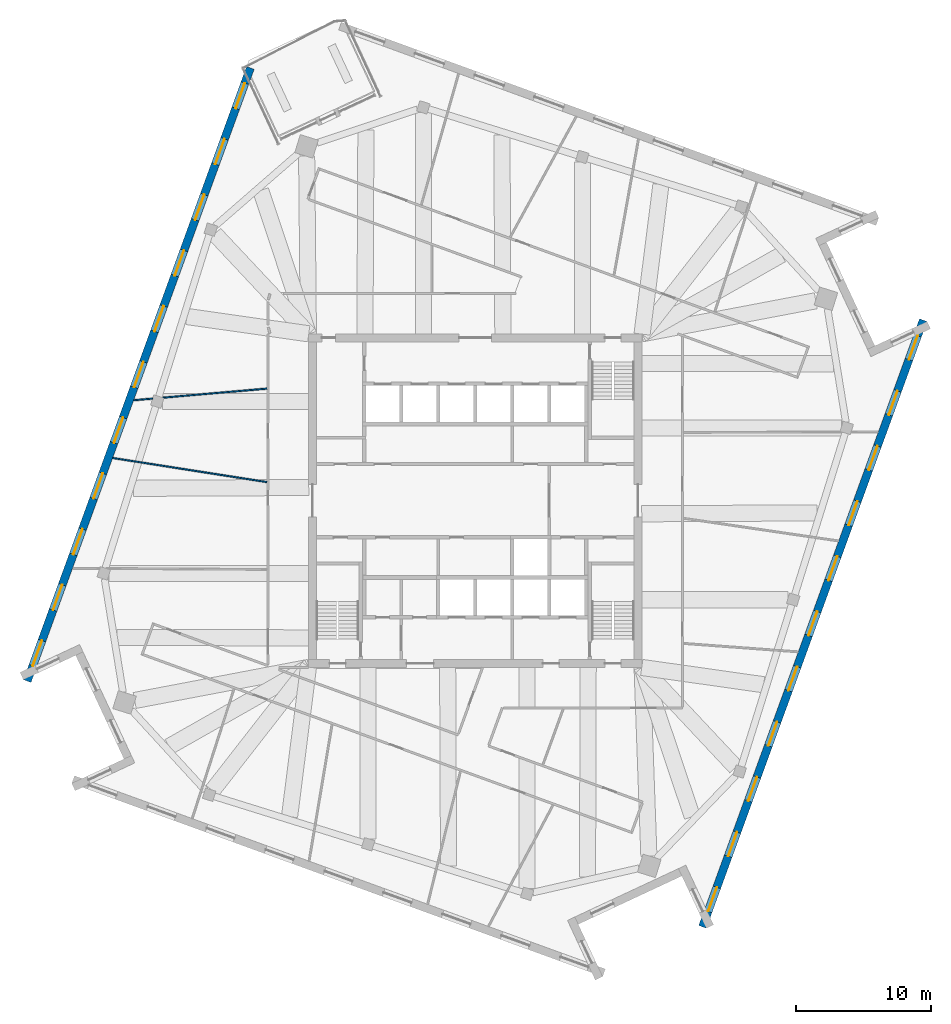
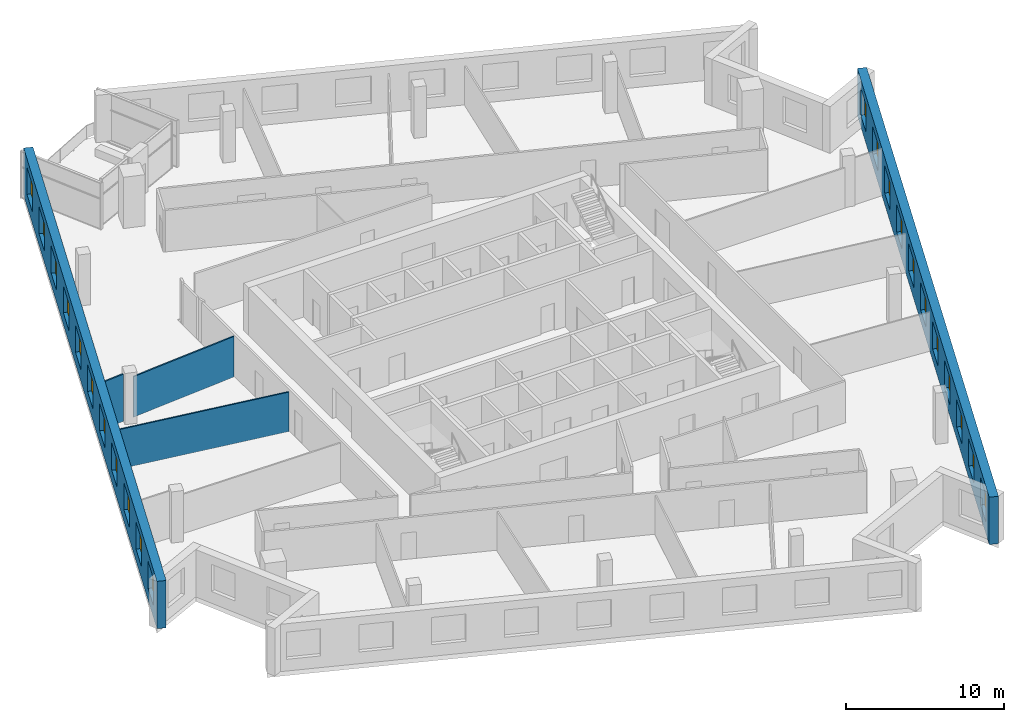
# One storey, part 8 of 13: 22 windows, 5 walls, 22 openings.
"""IFC4 building model written with IfcOpenShell, lengths in metres."""

from ifc_helpers import new_model, si_unit, direction, frame, frame_2d, origin, place, context, subcontext, project, spatial, rectangle, extrude, material, layer, layer_set, type_object, element, fill, save


model = new_model("IFC4")

# Units and contexts
model_context = context("Model", 3, precision=1e-05, world=origin(), true_north=direction((0.0, 1.0)))
body_context = subcontext(model_context, "Body", "Model", "MODEL_VIEW")
ifc_project = project(units=[si_unit("LENGTHUNIT", "METRE"), si_unit("AREAUNIT", "SQUARE_METRE"), si_unit("VOLUMEUNIT", "CUBIC_METRE"), si_unit("PLANEANGLEUNIT", "RADIAN"), si_unit("MASSUNIT", "GRAM", prefix="KILO")], contexts=[model_context])

# Site, building, storey
site_placement = place(None, origin())
site = spatial("IfcSite", under=ifc_project, at=site_placement, CompositionType="ELEMENT")
building_placement = place(site_placement, origin())
building = spatial("IfcBuilding", under=site, at=building_placement, Name="Dilmun Exchange Tower", CompositionType="ELEMENT")
storey_placement = place(building_placement, frame((0.0, 0.0, 308.5)))
storey = spatial("IfcBuildingStorey", under=building, at=storey_placement, Name="L73", CompositionType="ELEMENT", Elevation=308.5)

# Walls
ifc_material_1 = material(Name="Partition 100")
ifc_layer_1 = layer(ifc_material_1, 0.10009765625)
ifc_layer_set_1 = layer_set([ifc_layer_1], Name="Partition 100")
wall_type_1 = type_object("IfcWallType", Name="Partition 100", PredefinedType="PARTITIONING", material=ifc_layer_set_1)
wall_1_placement = place(storey_placement, frame((-26.939453125, 3.167236328125, 0.0), z_axis=(0.0, 0.0, 1.0), x_axis=(0.987997076622, -0.154472575515, 0.0)))
element("IfcWall", 1, at=wall_1_placement, inside=storey, type_object=wall_type_1, Name="Partition", PredefinedType="PARTITIONING", context=body_context, shape_type="SweptSolid", body=[
    extrude(rectangle(XDim=11.595947265625, YDim=0.10009765625, at=frame_2d((5.7978515625, 0.0))), origin(), (0.0, 0.0, 1.0), 3.050048828125),
])
wall_2_placement = place(storey_placement, frame((-25.376953125, 7.459716796875, 0.0), z_axis=(0.0, 0.0, 1.0), x_axis=(0.996220312329, 0.086862473502, 0.0)))
element("IfcWall", 2, at=wall_2_placement, inside=storey, type_object=wall_type_1, Name="Partition", PredefinedType="PARTITIONING", context=body_context, shape_type="SweptSolid", body=[
    extrude(rectangle(XDim=1.402587890625, YDim=0.10009765625, at=frame_2d((0.701171875, 0.0))), origin(), (0.0, 0.0, 1.0), 3.64990234375),
])
wall_3_placement = place(storey_placement, frame((-23.203369140625, 7.6494140625, 0.0), z_axis=(0.0, 0.0, 1.0), x_axis=(0.996219171953, 0.086875551407, 0.0)))
element("IfcWall", 3, at=wall_3_placement, inside=storey, type_object=wall_type_1, Name="Partition", PredefinedType="PARTITIONING", context=body_context, shape_type="SweptSolid", body=[
    extrude(rectangle(XDim=7.75341796875, YDim=0.10009765625, at=frame_2d((3.876708984375, 0.0))), origin(), (0.0, 0.0, 1.0), 3.1298828125),
])

# Wall, openings, windows
ifc_material_2 = material(Name="Precast concrete C50/60", Category="concrete")
ifc_layer_2 = layer(ifc_material_2, 0.60009765625)
ifc_layer_set_2 = layer_set([ifc_layer_2], Name="Precast concrete C50/60")
wall_type_2 = type_object("IfcWallType", Name="Precast stone-clad wall 600", PredefinedType="STANDARD", material=ifc_layer_set_2)
wall_4_placement = place(storey_placement, frame((-16.710205078125, 32.154296875, 0.0), z_axis=(0.0, 0.0, 1.0), x_axis=(-0.342021989849, -0.939691948704, 0.0)))
wall_4 = element("IfcWall", 4, at=wall_4_placement, inside=storey, type_object=wall_type_2, Name="Facade wall L73-03", PredefinedType="STANDARD", context=body_context, shape_type="SweptSolid", body=[
    extrude(rectangle(XDim=48.489501953125, YDim=0.60009765625, at=frame_2d((24.24462890625, 0.0))), origin(), (0.0, 0.0, 1.0), 3.64990234375),
])
opening_1_placement = place(wall_4_placement, frame((1.2041015625, 0.0, 0.89990234375)))
opening_1 = element("IfcOpeningElement", 5, at=opening_1_placement, cuts=wall_4, Name="Opening W200-210", PredefinedType="OPENING", context=body_context, shape_type="SweptSolid", body=[
    extrude(rectangle(XDim=2.0, YDim=2.10009765625, at=frame_2d((1.0, 1.050048828125))), frame((0.0, 0.31005859375, 0.0), z_axis=(0.0, -1.0, 0.0), x_axis=(1.0, 0.0, 0.0)), (0.0, 0.0, 1.0), 0.6201171875),
])
opening_2_placement = place(wall_4_placement, frame((5.6123046875, 0.0, 0.89990234375)))
opening_2 = element("IfcOpeningElement", 6, at=opening_2_placement, cuts=wall_4, Name="Opening W200-210", PredefinedType="OPENING", context=body_context, shape_type="SweptSolid", body=[
    extrude(rectangle(XDim=2.0, YDim=2.10009765625, at=frame_2d((1.0, 1.050048828125))), frame((0.0, 0.31005859375, 0.0), z_axis=(0.0, -1.0, 0.0), x_axis=(1.0, 0.0, 0.0)), (0.0, 0.0, 1.0), 0.6201171875),
])
opening_3_placement = place(wall_4_placement, frame((10.0205078125, 0.0, 0.89990234375)))
opening_3 = element("IfcOpeningElement", 7, at=opening_3_placement, cuts=wall_4, Name="Opening W200-210", PredefinedType="OPENING", context=body_context, shape_type="SweptSolid", body=[
    extrude(rectangle(XDim=2.0, YDim=2.10009765625, at=frame_2d((1.0, 1.050048828125))), frame((0.0, 0.31005859375, 0.0), z_axis=(0.0, -1.0, 0.0), x_axis=(1.0, 0.0, 0.0)), (0.0, 0.0, 1.0), 0.6201171875),
])
opening_4_placement = place(wall_4_placement, frame((14.428466796875, 0.0, 0.89990234375)))
opening_4 = element("IfcOpeningElement", 8, at=opening_4_placement, cuts=wall_4, Name="Opening W200-210", PredefinedType="OPENING", context=body_context, shape_type="SweptSolid", body=[
    extrude(rectangle(XDim=2.0, YDim=2.10009765625, at=frame_2d((1.0, 1.050048828125))), frame((0.0, 0.31005859375, 0.0), z_axis=(0.0, -1.0, 0.0), x_axis=(1.0, 0.0, 0.0)), (0.0, 0.0, 1.0), 0.6201171875),
])
opening_5_placement = place(wall_4_placement, frame((18.836669921875, 0.0, 0.89990234375)))
opening_5 = element("IfcOpeningElement", 9, at=opening_5_placement, cuts=wall_4, Name="Opening W200-210", PredefinedType="OPENING", context=body_context, shape_type="SweptSolid", body=[
    extrude(rectangle(XDim=2.0, YDim=2.10009765625, at=frame_2d((1.0, 1.050048828125))), frame((0.0, 0.31005859375, 0.0), z_axis=(0.0, -1.0, 0.0), x_axis=(1.0, 0.0, 0.0)), (0.0, 0.0, 1.0), 0.6201171875),
])
opening_6_placement = place(wall_4_placement, frame((23.244873046875, 0.0, 0.89990234375)))
opening_6 = element("IfcOpeningElement", 10, at=opening_6_placement, cuts=wall_4, Name="Opening W200-210", PredefinedType="OPENING", context=body_context, shape_type="SweptSolid", body=[
    extrude(rectangle(XDim=2.0, YDim=2.10009765625, at=frame_2d((1.0, 1.050048828125))), frame((0.0, 0.31005859375, 0.0), z_axis=(0.0, -1.0, 0.0), x_axis=(1.0, 0.0, 0.0)), (0.0, 0.0, 1.0), 0.6201171875),
])
opening_7_placement = place(wall_4_placement, frame((27.65283203125, 0.0, 0.89990234375)))
opening_7 = element("IfcOpeningElement", 11, at=opening_7_placement, cuts=wall_4, Name="Opening W200-210", PredefinedType="OPENING", context=body_context, shape_type="SweptSolid", body=[
    extrude(rectangle(XDim=2.0, YDim=2.10009765625, at=frame_2d((1.0, 1.050048828125))), frame((0.0, 0.31005859375, 0.0), z_axis=(0.0, -1.0, 0.0), x_axis=(1.0, 0.0, 0.0)), (0.0, 0.0, 1.0), 0.6201171875),
])
opening_8_placement = place(wall_4_placement, frame((32.06103515625, 0.0, 0.89990234375)))
opening_8 = element("IfcOpeningElement", 12, at=opening_8_placement, cuts=wall_4, Name="Opening W200-210", PredefinedType="OPENING", context=body_context, shape_type="SweptSolid", body=[
    extrude(rectangle(XDim=2.0, YDim=2.10009765625, at=frame_2d((1.0, 1.050048828125))), frame((0.0, 0.31005859375, 0.0), z_axis=(0.0, -1.0, 0.0), x_axis=(1.0, 0.0, 0.0)), (0.0, 0.0, 1.0), 0.6201171875),
])
opening_9_placement = place(wall_4_placement, frame((36.46923828125, 0.0, 0.89990234375)))
opening_9 = element("IfcOpeningElement", 13, at=opening_9_placement, cuts=wall_4, Name="Opening W200-210", PredefinedType="OPENING", context=body_context, shape_type="SweptSolid", body=[
    extrude(rectangle(XDim=2.0, YDim=2.10009765625, at=frame_2d((1.0, 1.050048828125))), frame((0.0, 0.31005859375, 0.0), z_axis=(0.0, -1.0, 0.0), x_axis=(1.0, 0.0, 0.0)), (0.0, 0.0, 1.0), 0.6201171875),
])
opening_10_placement = place(wall_4_placement, frame((40.87744140625, 0.0, 0.89990234375)))
opening_10 = element("IfcOpeningElement", 14, at=opening_10_placement, cuts=wall_4, Name="Opening W200-210", PredefinedType="OPENING", context=body_context, shape_type="SweptSolid", body=[
    extrude(rectangle(XDim=2.0, YDim=2.10009765625, at=frame_2d((1.0, 1.050048828125))), frame((0.0, 0.31005859375, 0.0), z_axis=(0.0, -1.0, 0.0), x_axis=(1.0, 0.0, 0.0)), (0.0, 0.0, 1.0), 0.6201171875),
])
opening_11_placement = place(wall_4_placement, frame((45.285400390625, 0.0, 0.89990234375)))
opening_11 = element("IfcOpeningElement", 15, at=opening_11_placement, cuts=wall_4, Name="Opening W200-210", PredefinedType="OPENING", context=body_context, shape_type="SweptSolid", body=[
    extrude(rectangle(XDim=2.0, YDim=2.10009765625, at=frame_2d((1.0, 1.050048828125))), frame((0.0, 0.31005859375, 0.0), z_axis=(0.0, -1.0, 0.0), x_axis=(1.0, 0.0, 0.0)), (0.0, 0.0, 1.0), 0.6201171875),
])
ifc_material_3 = material(Name="Clear low-emissivity glass in aluminium frame", Category="aluminium")
window_type_1 = type_object("IfcWindowType", Name="Punched window 2000 x 2100", PartitioningType="DOUBLE_PANEL_VERTICAL", PredefinedType="WINDOW", material=ifc_material_3)
window_1_placement = place(opening_1_placement, origin())
window_1 = element("IfcWindow", 16, at=window_1_placement, inside=storey, type_object=window_type_1, Name="Window 4.1", OverallHeight=2.10009765625, OverallWidth=2.0, PartitioningType="SINGLE_PANEL", PredefinedType="WINDOW", context=body_context, shape_type="SweptSolid", body=[
    extrude(rectangle(XDim=2.0, YDim=2.10009765625, at=frame_2d((1.0, 1.050048828125))), frame((0.0, 0.030029296875, 0.0), z_axis=(0.0, -1.0, 0.0), x_axis=(1.0, 0.0, 0.0)), (0.0, 0.0, 1.0), 0.06005859375),
])
fill(opening_1, window_1)
window_2_placement = place(opening_2_placement, origin())
window_2 = element("IfcWindow", 17, at=window_2_placement, inside=storey, type_object=window_type_1, Name="Window 4.2", OverallHeight=2.10009765625, OverallWidth=2.0, PartitioningType="SINGLE_PANEL", PredefinedType="WINDOW", context=body_context, shape_type="SweptSolid", body=[
    extrude(rectangle(XDim=2.0, YDim=2.10009765625, at=frame_2d((1.0, 1.050048828125))), frame((0.0, 0.030029296875, 0.0), z_axis=(0.0, -1.0, 0.0), x_axis=(1.0, 0.0, 0.0)), (0.0, 0.0, 1.0), 0.06005859375),
])
fill(opening_2, window_2)
window_3_placement = place(opening_3_placement, origin())
window_3 = element("IfcWindow", 18, at=window_3_placement, inside=storey, type_object=window_type_1, Name="Window 4.3", OverallHeight=2.10009765625, OverallWidth=2.0, PartitioningType="SINGLE_PANEL", PredefinedType="WINDOW", context=body_context, shape_type="SweptSolid", body=[
    extrude(rectangle(XDim=2.0, YDim=2.10009765625, at=frame_2d((1.0, 1.050048828125))), frame((0.0, 0.030029296875, 0.0), z_axis=(0.0, -1.0, 0.0), x_axis=(1.0, 0.0, 0.0)), (0.0, 0.0, 1.0), 0.06005859375),
])
fill(opening_3, window_3)
window_4_placement = place(opening_4_placement, origin())
window_4 = element("IfcWindow", 19, at=window_4_placement, inside=storey, type_object=window_type_1, Name="Window 4.4", OverallHeight=2.10009765625, OverallWidth=2.0, PartitioningType="SINGLE_PANEL", PredefinedType="WINDOW", context=body_context, shape_type="SweptSolid", body=[
    extrude(rectangle(XDim=2.0, YDim=2.10009765625, at=frame_2d((1.0, 1.050048828125))), frame((0.0, 0.030029296875, 0.0), z_axis=(0.0, -1.0, 0.0), x_axis=(1.0, 0.0, 0.0)), (0.0, 0.0, 1.0), 0.06005859375),
])
fill(opening_4, window_4)
window_5_placement = place(opening_5_placement, origin())
window_5 = element("IfcWindow", 20, at=window_5_placement, inside=storey, type_object=window_type_1, Name="Window 4.5", OverallHeight=2.10009765625, OverallWidth=2.0, PartitioningType="SINGLE_PANEL", PredefinedType="WINDOW", context=body_context, shape_type="SweptSolid", body=[
    extrude(rectangle(XDim=2.0, YDim=2.10009765625, at=frame_2d((1.0, 1.050048828125))), frame((0.0, 0.030029296875, 0.0), z_axis=(0.0, -1.0, 0.0), x_axis=(1.0, 0.0, 0.0)), (0.0, 0.0, 1.0), 0.06005859375),
])
fill(opening_5, window_5)
window_6_placement = place(opening_6_placement, origin())
window_6 = element("IfcWindow", 21, at=window_6_placement, inside=storey, type_object=window_type_1, Name="Window 4.6", OverallHeight=2.10009765625, OverallWidth=2.0, PartitioningType="SINGLE_PANEL", PredefinedType="WINDOW", context=body_context, shape_type="SweptSolid", body=[
    extrude(rectangle(XDim=2.0, YDim=2.10009765625, at=frame_2d((1.0, 1.050048828125))), frame((0.0, 0.030029296875, 0.0), z_axis=(0.0, -1.0, 0.0), x_axis=(1.0, 0.0, 0.0)), (0.0, 0.0, 1.0), 0.06005859375),
])
fill(opening_6, window_6)
window_7_placement = place(opening_7_placement, origin())
window_7 = element("IfcWindow", 22, at=window_7_placement, inside=storey, type_object=window_type_1, Name="Window 4.7", OverallHeight=2.10009765625, OverallWidth=2.0, PartitioningType="SINGLE_PANEL", PredefinedType="WINDOW", context=body_context, shape_type="SweptSolid", body=[
    extrude(rectangle(XDim=2.0, YDim=2.10009765625, at=frame_2d((1.0, 1.050048828125))), frame((0.0, 0.030029296875, 0.0), z_axis=(0.0, -1.0, 0.0), x_axis=(1.0, 0.0, 0.0)), (0.0, 0.0, 1.0), 0.06005859375),
])
fill(opening_7, window_7)
window_8_placement = place(opening_8_placement, origin())
window_8 = element("IfcWindow", 23, at=window_8_placement, inside=storey, type_object=window_type_1, Name="Window 4.8", OverallHeight=2.10009765625, OverallWidth=2.0, PartitioningType="SINGLE_PANEL", PredefinedType="WINDOW", context=body_context, shape_type="SweptSolid", body=[
    extrude(rectangle(XDim=2.0, YDim=2.10009765625, at=frame_2d((1.0, 1.050048828125))), frame((0.0, 0.030029296875, 0.0), z_axis=(0.0, -1.0, 0.0), x_axis=(1.0, 0.0, 0.0)), (0.0, 0.0, 1.0), 0.06005859375),
])
fill(opening_8, window_8)
window_9_placement = place(opening_9_placement, origin())
window_9 = element("IfcWindow", 24, at=window_9_placement, inside=storey, type_object=window_type_1, Name="Window 4.9", OverallHeight=2.10009765625, OverallWidth=2.0, PartitioningType="SINGLE_PANEL", PredefinedType="WINDOW", context=body_context, shape_type="SweptSolid", body=[
    extrude(rectangle(XDim=2.0, YDim=2.10009765625, at=frame_2d((1.0, 1.050048828125))), frame((0.0, 0.030029296875, 0.0), z_axis=(0.0, -1.0, 0.0), x_axis=(1.0, 0.0, 0.0)), (0.0, 0.0, 1.0), 0.06005859375),
])
fill(opening_9, window_9)
window_10_placement = place(opening_10_placement, origin())
window_10 = element("IfcWindow", 25, at=window_10_placement, inside=storey, type_object=window_type_1, Name="Window 4.10", OverallHeight=2.10009765625, OverallWidth=2.0, PartitioningType="SINGLE_PANEL", PredefinedType="WINDOW", context=body_context, shape_type="SweptSolid", body=[
    extrude(rectangle(XDim=2.0, YDim=2.10009765625, at=frame_2d((1.0, 1.050048828125))), frame((0.0, 0.030029296875, 0.0), z_axis=(0.0, -1.0, 0.0), x_axis=(1.0, 0.0, 0.0)), (0.0, 0.0, 1.0), 0.06005859375),
])
fill(opening_10, window_10)
window_11_placement = place(opening_11_placement, origin())
window_11 = element("IfcWindow", 26, at=window_11_placement, inside=storey, type_object=window_type_1, Name="Window 4.11", OverallHeight=2.10009765625, OverallWidth=2.0, PartitioningType="SINGLE_PANEL", PredefinedType="WINDOW", context=body_context, shape_type="SweptSolid", body=[
    extrude(rectangle(XDim=2.0, YDim=2.10009765625, at=frame_2d((1.0, 1.050048828125))), frame((0.0, 0.030029296875, 0.0), z_axis=(0.0, -1.0, 0.0), x_axis=(1.0, 0.0, 0.0)), (0.0, 0.0, 1.0), 0.06005859375),
])
fill(opening_11, window_11)

wall_5_placement = place(storey_placement, frame((16.885009765625, -31.6748046875, 0.0), z_axis=(0.0, 0.0, 1.0), x_axis=(0.342016786282, 0.939693842643, 0.0)))
wall_5 = element("IfcWall", 27, at=wall_5_placement, inside=storey, type_object=wall_type_2, Name="Facade wall L73-11", PredefinedType="STANDARD", context=body_context, shape_type="SweptSolid", body=[
    extrude(rectangle(XDim=47.979248046875, YDim=0.60009765625, at=frame_2d((23.98974609375, 0.0))), origin(), (0.0, 0.0, 1.0), 3.64990234375),
])
opening_12_placement = place(wall_5_placement, frame((1.23095703125, 0.0, 0.89990234375)))
opening_12 = element("IfcOpeningElement", 28, at=opening_12_placement, cuts=wall_5, Name="Opening W190-210", PredefinedType="OPENING", context=body_context, shape_type="SweptSolid", body=[
    extrude(rectangle(XDim=1.89990234375, YDim=2.10009765625, at=frame_2d((0.949951171875, 1.050048828125))), frame((0.0, 0.31005859375, 0.0), z_axis=(0.0, -1.0, 0.0), x_axis=(1.0, 0.0, 0.0)), (0.0, 0.0, 1.0), 0.6201171875),
])
opening_13_placement = place(wall_5_placement, frame((5.592529296875, 0.0, 0.89990234375)))
opening_13 = element("IfcOpeningElement", 29, at=opening_13_placement, cuts=wall_5, Name="Opening W190-210", PredefinedType="OPENING", context=body_context, shape_type="SweptSolid", body=[
    extrude(rectangle(XDim=1.89990234375, YDim=2.10009765625, at=frame_2d((0.949951171875, 1.050048828125))), frame((0.0, 0.31005859375, 0.0), z_axis=(0.0, -1.0, 0.0), x_axis=(1.0, 0.0, 0.0)), (0.0, 0.0, 1.0), 0.6201171875),
])
opening_14_placement = place(wall_5_placement, frame((9.954345703125, 0.0, 0.89990234375)))
opening_14 = element("IfcOpeningElement", 30, at=opening_14_placement, cuts=wall_5, Name="Opening W190-210", PredefinedType="OPENING", context=body_context, shape_type="SweptSolid", body=[
    extrude(rectangle(XDim=1.89990234375, YDim=2.10009765625, at=frame_2d((0.949951171875, 1.050048828125))), frame((0.0, 0.31005859375, 0.0), z_axis=(0.0, -1.0, 0.0), x_axis=(1.0, 0.0, 0.0)), (0.0, 0.0, 1.0), 0.6201171875),
])
opening_15_placement = place(wall_5_placement, frame((14.316162109375, 0.0, 0.89990234375)))
opening_15 = element("IfcOpeningElement", 31, at=opening_15_placement, cuts=wall_5, Name="Opening W190-210", PredefinedType="OPENING", context=body_context, shape_type="SweptSolid", body=[
    extrude(rectangle(XDim=1.89990234375, YDim=2.10009765625, at=frame_2d((0.949951171875, 1.050048828125))), frame((0.0, 0.31005859375, 0.0), z_axis=(0.0, -1.0, 0.0), x_axis=(1.0, 0.0, 0.0)), (0.0, 0.0, 1.0), 0.6201171875),
])
opening_16_placement = place(wall_5_placement, frame((18.677734375, 0.0, 0.89990234375)))
opening_16 = element("IfcOpeningElement", 32, at=opening_16_placement, cuts=wall_5, Name="Opening W190-210", PredefinedType="OPENING", context=body_context, shape_type="SweptSolid", body=[
    extrude(rectangle(XDim=1.89990234375, YDim=2.10009765625, at=frame_2d((0.949951171875, 1.050048828125))), frame((0.0, 0.31005859375, 0.0), z_axis=(0.0, -1.0, 0.0), x_axis=(1.0, 0.0, 0.0)), (0.0, 0.0, 1.0), 0.6201171875),
])
opening_17_placement = place(wall_5_placement, frame((23.03955078125, 0.0, 0.89990234375)))
opening_17 = element("IfcOpeningElement", 33, at=opening_17_placement, cuts=wall_5, Name="Opening W190-210", PredefinedType="OPENING", context=body_context, shape_type="SweptSolid", body=[
    extrude(rectangle(XDim=1.89990234375, YDim=2.10009765625, at=frame_2d((0.949951171875, 1.050048828125))), frame((0.0, 0.31005859375, 0.0), z_axis=(0.0, -1.0, 0.0), x_axis=(1.0, 0.0, 0.0)), (0.0, 0.0, 1.0), 0.6201171875),
])
opening_18_placement = place(wall_5_placement, frame((27.4013671875, 0.0, 0.89990234375)))
opening_18 = element("IfcOpeningElement", 34, at=opening_18_placement, cuts=wall_5, Name="Opening W190-210", PredefinedType="OPENING", context=body_context, shape_type="SweptSolid", body=[
    extrude(rectangle(XDim=1.89990234375, YDim=2.10009765625, at=frame_2d((0.949951171875, 1.050048828125))), frame((0.0, 0.31005859375, 0.0), z_axis=(0.0, -1.0, 0.0), x_axis=(1.0, 0.0, 0.0)), (0.0, 0.0, 1.0), 0.6201171875),
])
opening_19_placement = place(wall_5_placement, frame((31.76318359375, 0.0, 0.89990234375)))
opening_19 = element("IfcOpeningElement", 35, at=opening_19_placement, cuts=wall_5, Name="Opening W190-210", PredefinedType="OPENING", context=body_context, shape_type="SweptSolid", body=[
    extrude(rectangle(XDim=1.89990234375, YDim=2.10009765625, at=frame_2d((0.949951171875, 1.050048828125))), frame((0.0, 0.31005859375, 0.0), z_axis=(0.0, -1.0, 0.0), x_axis=(1.0, 0.0, 0.0)), (0.0, 0.0, 1.0), 0.6201171875),
])
opening_20_placement = place(wall_5_placement, frame((36.124755859375, 0.0, 0.89990234375)))
opening_20 = element("IfcOpeningElement", 36, at=opening_20_placement, cuts=wall_5, Name="Opening W190-210", PredefinedType="OPENING", context=body_context, shape_type="SweptSolid", body=[
    extrude(rectangle(XDim=1.89990234375, YDim=2.10009765625, at=frame_2d((0.949951171875, 1.050048828125))), frame((0.0, 0.31005859375, 0.0), z_axis=(0.0, -1.0, 0.0), x_axis=(1.0, 0.0, 0.0)), (0.0, 0.0, 1.0), 0.6201171875),
])
opening_21_placement = place(wall_5_placement, frame((40.486572265625, 0.0, 0.89990234375)))
opening_21 = element("IfcOpeningElement", 37, at=opening_21_placement, cuts=wall_5, Name="Opening W190-210", PredefinedType="OPENING", context=body_context, shape_type="SweptSolid", body=[
    extrude(rectangle(XDim=1.89990234375, YDim=2.10009765625, at=frame_2d((0.949951171875, 1.050048828125))), frame((0.0, 0.31005859375, 0.0), z_axis=(0.0, -1.0, 0.0), x_axis=(1.0, 0.0, 0.0)), (0.0, 0.0, 1.0), 0.6201171875),
])
opening_22_placement = place(wall_5_placement, frame((44.848388671875, 0.0, 0.89990234375)))
opening_22 = element("IfcOpeningElement", 38, at=opening_22_placement, cuts=wall_5, Name="Opening W190-210", PredefinedType="OPENING", context=body_context, shape_type="SweptSolid", body=[
    extrude(rectangle(XDim=1.89990234375, YDim=2.10009765625, at=frame_2d((0.949951171875, 1.050048828125))), frame((0.0, 0.31005859375, 0.0), z_axis=(0.0, -1.0, 0.0), x_axis=(1.0, 0.0, 0.0)), (0.0, 0.0, 1.0), 0.6201171875),
])
window_type_2 = type_object("IfcWindowType", Name="Punched window 1900 x 2100", PartitioningType="DOUBLE_PANEL_VERTICAL", PredefinedType="WINDOW", material=ifc_material_3)
window_12_placement = place(opening_12_placement, origin())
window_12 = element("IfcWindow", 39, at=window_12_placement, inside=storey, type_object=window_type_2, Name="Window 12.1", OverallHeight=2.10009765625, OverallWidth=1.89990234375, PartitioningType="SINGLE_PANEL", PredefinedType="WINDOW", context=body_context, shape_type="SweptSolid", body=[
    extrude(rectangle(XDim=1.89990234375, YDim=2.10009765625, at=frame_2d((0.949951171875, 1.050048828125))), frame((0.0, 0.030029296875, 0.0), z_axis=(0.0, -1.0, 0.0), x_axis=(1.0, 0.0, 0.0)), (0.0, 0.0, 1.0), 0.06005859375),
])
fill(opening_12, window_12)
window_13_placement = place(opening_13_placement, origin())
window_13 = element("IfcWindow", 40, at=window_13_placement, inside=storey, type_object=window_type_2, Name="Window 12.2", OverallHeight=2.10009765625, OverallWidth=1.89990234375, PartitioningType="SINGLE_PANEL", PredefinedType="WINDOW", context=body_context, shape_type="SweptSolid", body=[
    extrude(rectangle(XDim=1.89990234375, YDim=2.10009765625, at=frame_2d((0.949951171875, 1.050048828125))), frame((0.0, 0.030029296875, 0.0), z_axis=(0.0, -1.0, 0.0), x_axis=(1.0, 0.0, 0.0)), (0.0, 0.0, 1.0), 0.06005859375),
])
fill(opening_13, window_13)
window_14_placement = place(opening_14_placement, origin())
window_14 = element("IfcWindow", 41, at=window_14_placement, inside=storey, type_object=window_type_2, Name="Window 12.3", OverallHeight=2.10009765625, OverallWidth=1.89990234375, PartitioningType="SINGLE_PANEL", PredefinedType="WINDOW", context=body_context, shape_type="SweptSolid", body=[
    extrude(rectangle(XDim=1.89990234375, YDim=2.10009765625, at=frame_2d((0.949951171875, 1.050048828125))), frame((0.0, 0.030029296875, 0.0), z_axis=(0.0, -1.0, 0.0), x_axis=(1.0, 0.0, 0.0)), (0.0, 0.0, 1.0), 0.06005859375),
])
fill(opening_14, window_14)
window_15_placement = place(opening_15_placement, origin())
window_15 = element("IfcWindow", 42, at=window_15_placement, inside=storey, type_object=window_type_2, Name="Window 12.4", OverallHeight=2.10009765625, OverallWidth=1.89990234375, PartitioningType="SINGLE_PANEL", PredefinedType="WINDOW", context=body_context, shape_type="SweptSolid", body=[
    extrude(rectangle(XDim=1.89990234375, YDim=2.10009765625, at=frame_2d((0.949951171875, 1.050048828125))), frame((0.0, 0.030029296875, 0.0), z_axis=(0.0, -1.0, 0.0), x_axis=(1.0, 0.0, 0.0)), (0.0, 0.0, 1.0), 0.06005859375),
])
fill(opening_15, window_15)
window_16_placement = place(opening_16_placement, origin())
window_16 = element("IfcWindow", 43, at=window_16_placement, inside=storey, type_object=window_type_2, Name="Window 12.5", OverallHeight=2.10009765625, OverallWidth=1.89990234375, PartitioningType="SINGLE_PANEL", PredefinedType="WINDOW", context=body_context, shape_type="SweptSolid", body=[
    extrude(rectangle(XDim=1.89990234375, YDim=2.10009765625, at=frame_2d((0.949951171875, 1.050048828125))), frame((0.0, 0.030029296875, 0.0), z_axis=(0.0, -1.0, 0.0), x_axis=(1.0, 0.0, 0.0)), (0.0, 0.0, 1.0), 0.06005859375),
])
fill(opening_16, window_16)
window_17_placement = place(opening_17_placement, origin())
window_17 = element("IfcWindow", 44, at=window_17_placement, inside=storey, type_object=window_type_2, Name="Window 12.6", OverallHeight=2.10009765625, OverallWidth=1.89990234375, PartitioningType="SINGLE_PANEL", PredefinedType="WINDOW", context=body_context, shape_type="SweptSolid", body=[
    extrude(rectangle(XDim=1.89990234375, YDim=2.10009765625, at=frame_2d((0.949951171875, 1.050048828125))), frame((0.0, 0.030029296875, 0.0), z_axis=(0.0, -1.0, 0.0), x_axis=(1.0, 0.0, 0.0)), (0.0, 0.0, 1.0), 0.06005859375),
])
fill(opening_17, window_17)
window_18_placement = place(opening_18_placement, origin())
window_18 = element("IfcWindow", 45, at=window_18_placement, inside=storey, type_object=window_type_2, Name="Window 12.7", OverallHeight=2.10009765625, OverallWidth=1.89990234375, PartitioningType="SINGLE_PANEL", PredefinedType="WINDOW", context=body_context, shape_type="SweptSolid", body=[
    extrude(rectangle(XDim=1.89990234375, YDim=2.10009765625, at=frame_2d((0.949951171875, 1.050048828125))), frame((0.0, 0.030029296875, 0.0), z_axis=(0.0, -1.0, 0.0), x_axis=(1.0, 0.0, 0.0)), (0.0, 0.0, 1.0), 0.06005859375),
])
fill(opening_18, window_18)
window_19_placement = place(opening_19_placement, origin())
window_19 = element("IfcWindow", 46, at=window_19_placement, inside=storey, type_object=window_type_2, Name="Window 12.8", OverallHeight=2.10009765625, OverallWidth=1.89990234375, PartitioningType="SINGLE_PANEL", PredefinedType="WINDOW", context=body_context, shape_type="SweptSolid", body=[
    extrude(rectangle(XDim=1.89990234375, YDim=2.10009765625, at=frame_2d((0.949951171875, 1.050048828125))), frame((0.0, 0.030029296875, 0.0), z_axis=(0.0, -1.0, 0.0), x_axis=(1.0, 0.0, 0.0)), (0.0, 0.0, 1.0), 0.06005859375),
])
fill(opening_19, window_19)
window_20_placement = place(opening_20_placement, origin())
window_20 = element("IfcWindow", 47, at=window_20_placement, inside=storey, type_object=window_type_2, Name="Window 12.9", OverallHeight=2.10009765625, OverallWidth=1.89990234375, PartitioningType="SINGLE_PANEL", PredefinedType="WINDOW", context=body_context, shape_type="SweptSolid", body=[
    extrude(rectangle(XDim=1.89990234375, YDim=2.10009765625, at=frame_2d((0.949951171875, 1.050048828125))), frame((0.0, 0.030029296875, 0.0), z_axis=(0.0, -1.0, 0.0), x_axis=(1.0, 0.0, 0.0)), (0.0, 0.0, 1.0), 0.06005859375),
])
fill(opening_20, window_20)
window_21_placement = place(opening_21_placement, origin())
window_21 = element("IfcWindow", 48, at=window_21_placement, inside=storey, type_object=window_type_2, Name="Window 12.10", OverallHeight=2.10009765625, OverallWidth=1.89990234375, PartitioningType="SINGLE_PANEL", PredefinedType="WINDOW", context=body_context, shape_type="SweptSolid", body=[
    extrude(rectangle(XDim=1.89990234375, YDim=2.10009765625, at=frame_2d((0.949951171875, 1.050048828125))), frame((0.0, 0.030029296875, 0.0), z_axis=(0.0, -1.0, 0.0), x_axis=(1.0, 0.0, 0.0)), (0.0, 0.0, 1.0), 0.06005859375),
])
fill(opening_21, window_21)
window_22_placement = place(opening_22_placement, origin())
window_22 = element("IfcWindow", 49, at=window_22_placement, inside=storey, type_object=window_type_2, Name="Window 12.11", OverallHeight=2.10009765625, OverallWidth=1.89990234375, PartitioningType="SINGLE_PANEL", PredefinedType="WINDOW", context=body_context, shape_type="SweptSolid", body=[
    extrude(rectangle(XDim=1.89990234375, YDim=2.10009765625, at=frame_2d((0.949951171875, 1.050048828125))), frame((0.0, 0.030029296875, 0.0), z_axis=(0.0, -1.0, 0.0), x_axis=(1.0, 0.0, 0.0)), (0.0, 0.0, 1.0), 0.06005859375),
])
fill(opening_22, window_22)

save(model, "model.ifc")
